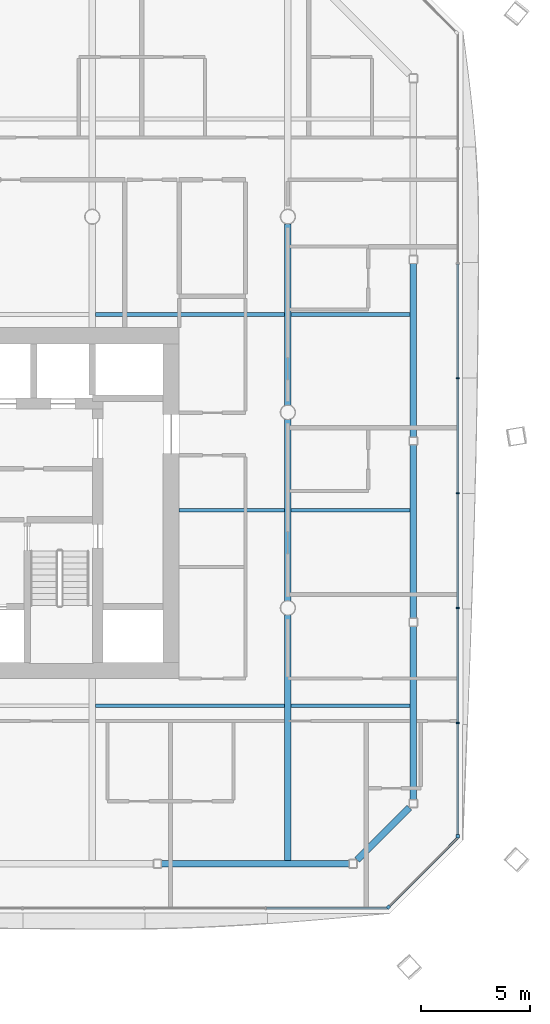
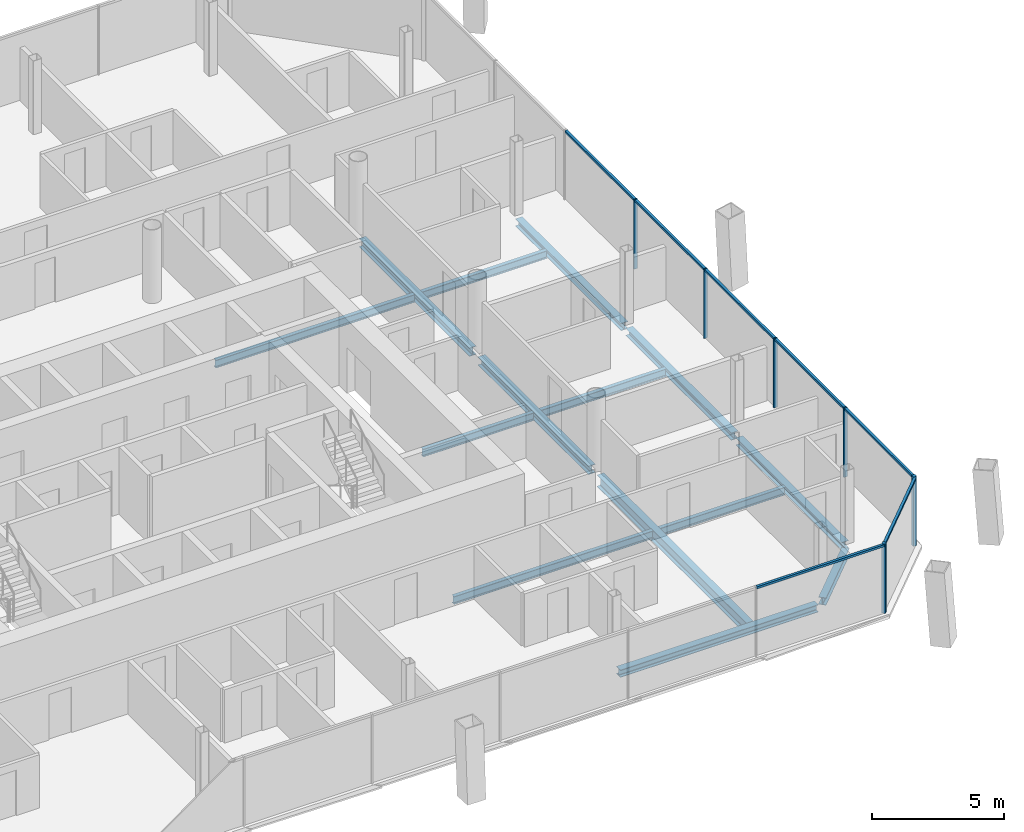
# One storey, part 7 of 21: 14 beams, 13 members, 3 elements without a shape of their own.
"""IFC4 building model written with IfcOpenShell, lengths in metres."""

from ifc_helpers import new_model, si_unit, direction, frame, origin, origin_2d, place, context, subcontext, project, spatial, rectangle, i_section, extrude, material, material_profile, profile_set, type_object, element, aggregate, save


model = new_model("IFC4")

# Units and contexts
model_context = context("Model", 3, precision=1e-05, world=origin(), true_north=direction((0.0, 1.0)))
body_context = subcontext(model_context, "Body", "Model", "MODEL_VIEW")
ifc_project = project(units=[si_unit("LENGTHUNIT", "METRE"), si_unit("AREAUNIT", "SQUARE_METRE"), si_unit("VOLUMEUNIT", "CUBIC_METRE"), si_unit("PLANEANGLEUNIT", "RADIAN"), si_unit("MASSUNIT", "GRAM", prefix="KILO")], contexts=[model_context])

# Site, building, storey
site_placement = place(None, origin())
site = spatial("IfcSite", under=ifc_project, at=site_placement, CompositionType="ELEMENT")
building_placement = place(site_placement, origin())
building = spatial("IfcBuilding", under=site, at=building_placement, Name="Tskaro Facet Tower", CompositionType="ELEMENT")
storey_placement = place(building_placement, frame((0.0, 0.0, 138.5)))
storey = spatial("IfcBuildingStorey", under=building, at=storey_placement, Name="L33", CompositionType="ELEMENT", Elevation=138.5)

# Curtain wall, member
ifc_material_1 = material(Name="Bronze anodised aluminium 6063-T6", Category="aluminium")
curtain_wall_type = type_object("IfcCurtainWallType", Name="Bronze hotel curtain wall (FW2)", PredefinedType="NOTDEFINED", material=ifc_material_1)
curtain_wall_1_placement = place(storey_placement, origin())
curtain_wall_1 = element("IfcCurtainWall", 1, at=curtain_wall_1_placement, inside=storey, type_object=curtain_wall_type, Name="FW2 south-east facet L33", PredefinedType="NOTDEFINED")
ifc_material_profile_1 = material_profile(ifc_material_1, rectangle(XDim=0.14990234375, YDim=0.14990234375, at=origin_2d()), Name="Corner post 150x150")
ifc_profile_set_1 = profile_set([ifc_material_profile_1], Name="Bronze anodised aluminium 6063-T6")
member_type_1 = type_object("IfcMemberType", Name="FW2 bronze corner post 150x150", PredefinedType="MULLION", material=ifc_profile_set_1)
member_1_placement = place(storey_placement, frame((22.626953125, -22.766845703125, 0.0), z_axis=(0.0, 0.0, 1.0), x_axis=(0.707106781187, 0.707106781187, 0.0)))
member_1 = element("IfcMember", 2, at=member_1_placement, type_object=member_type_1, Name="FW2 south-east corner post", PredefinedType="MULLION", context=body_context, shape_type="SweptSolid", body=[
    extrude(rectangle(XDim=0.14990234375, YDim=0.14990234375, at=origin_2d()), origin(), (0.0, 0.0, 1.0), 3.199951171875),
])

# Curtain wall, members
curtain_wall_2_placement = place(storey_placement, origin())
curtain_wall_2 = element("IfcCurtainWall", 3, at=curtain_wall_2_placement, inside=storey, type_object=curtain_wall_type, Name="FW2 east facet L33", PredefinedType="NOTDEFINED")
member_2_placement = place(storey_placement, frame((25.820068359375, -19.4990234375, 0.0), z_axis=(0.0, 0.0, 1.0), x_axis=(0.0, 1.0, 0.0)))
member_2 = element("IfcMember", 4, at=member_2_placement, type_object=member_type_1, Name="FW2 east corner post", PredefinedType="MULLION", context=body_context, shape_type="SweptSolid", body=[
    extrude(rectangle(XDim=0.14990234375, YDim=0.14990234375, at=origin_2d()), origin(), (0.0, 0.0, 1.0), 3.199951171875),
])
ifc_material_profile_2 = material_profile(ifc_material_1, rectangle(XDim=0.06005859375, YDim=0.14990234375, at=origin_2d()), Name="Mullion 60x150")
ifc_profile_set_2 = profile_set([ifc_material_profile_2], Name="Bronze anodised aluminium 6063-T6")
member_type_2 = type_object("IfcMemberType", Name="FW2 bronze mullion 60x150", PredefinedType="MULLION", material=ifc_profile_set_2)
member_3_placement = place(storey_placement, frame((25.820068359375, -14.288818359375, 0.0), z_axis=(0.0, 0.0, 1.0), x_axis=(0.0, 1.0, 0.0)))
member_3 = element("IfcMember", 5, at=member_3_placement, type_object=member_type_2, Name="FW2 east mullion 1", PredefinedType="MULLION", context=body_context, shape_type="SweptSolid", body=[
    extrude(rectangle(XDim=0.06005859375, YDim=0.14990234375, at=origin_2d()), origin(), (0.0, 0.0, 1.0), 3.199951171875),
])
member_4_placement = place(storey_placement, frame((25.820068359375, -9.003662109375, 0.0), z_axis=(0.0, 0.0, 1.0), x_axis=(0.0, 1.0, 0.0)))
member_4 = element("IfcMember", 6, at=member_4_placement, type_object=member_type_2, Name="FW2 east mullion 2", PredefinedType="MULLION", context=body_context, shape_type="SweptSolid", body=[
    extrude(rectangle(XDim=0.06005859375, YDim=0.14990234375, at=origin_2d()), origin(), (0.0, 0.0, 1.0), 3.199951171875),
])
member_5_placement = place(storey_placement, frame((25.820068359375, -3.718505859375, 0.0), z_axis=(0.0, 0.0, 1.0), x_axis=(0.0, 1.0, 0.0)))
member_5 = element("IfcMember", 7, at=member_5_placement, type_object=member_type_2, Name="FW2 east mullion 3", PredefinedType="MULLION", context=body_context, shape_type="SweptSolid", body=[
    extrude(rectangle(XDim=0.06005859375, YDim=0.14990234375, at=origin_2d()), origin(), (0.0, 0.0, 1.0), 3.199951171875),
])
member_6_placement = place(storey_placement, frame((25.820068359375, 1.566650390625, 0.0), z_axis=(0.0, 0.0, 1.0), x_axis=(0.0, 1.0, 0.0)))
member_6 = element("IfcMember", 8, at=member_6_placement, type_object=member_type_2, Name="FW2 east mullion 4", PredefinedType="MULLION", context=body_context, shape_type="SweptSolid", body=[
    extrude(rectangle(XDim=0.06005859375, YDim=0.14990234375, at=origin_2d()), origin(), (0.0, 0.0, 1.0), 3.199951171875),
])

# Curtain wall, member
curtain_wall_3_placement = place(storey_placement, origin())
curtain_wall_3 = element("IfcCurtainWall", 9, at=curtain_wall_3_placement, inside=storey, type_object=curtain_wall_type, Name="FW2 south facet L33", PredefinedType="NOTDEFINED")
ifc_material_profile_3 = material_profile(ifc_material_1, rectangle(XDim=0.110107421875, YDim=0.10009765625, at=origin_2d()), Name="Transom 110x100")
ifc_profile_set_3 = profile_set([ifc_material_profile_3], Name="Bronze anodised aluminium 6063-T6")
member_type_3 = type_object("IfcMemberType", Name="FW2 bronze transom 110x100", PredefinedType="USERDEFINED", material=ifc_profile_set_3)
member_7_placement = place(storey_placement, frame((17.011474609375, -22.820068359375, 3.14990234375), z_axis=(1.0, 0.0, 0.0), x_axis=(0.0, 1.0, 0.0)))
member_7 = element("IfcMember", 10, at=member_7_placement, type_object=member_type_3, Name="FW2 south transom 7.1", ObjectType="TRANSOM", PredefinedType="USERDEFINED", context=body_context, shape_type="SweptSolid", body=[
    extrude(rectangle(XDim=0.110107421875, YDim=0.10009765625, at=origin_2d()), origin(), (0.0, 0.0, 1.0), 5.5625),
])
aggregate(curtain_wall_3, [member_7])

# Member
member_8_placement = place(storey_placement, frame((22.68017578125, -22.7138671875, 3.14990234375), z_axis=(0.707106781187, 0.707106781187, 0.0), x_axis=(-0.707106781187, 0.707106781187, 0.0)))
member_8 = element("IfcMember", 11, at=member_8_placement, type_object=member_type_3, Name="FW2 south-east transom 1.1", ObjectType="TRANSOM", PredefinedType="USERDEFINED", context=body_context, shape_type="SweptSolid", body=[
    extrude(rectangle(XDim=0.110107421875, YDim=0.10009765625, at=origin_2d()), origin(), (0.0, 0.0, 1.0), 4.4404296875),
])

aggregate(curtain_wall_1, [member_1, member_8])

member_9_placement = place(storey_placement, frame((25.820068359375, -19.424072265625, 3.14990234375), z_axis=(0.0, 1.0, 0.0), x_axis=(-1.0, 0.0, 0.0)))
member_9 = element("IfcMember", 12, at=member_9_placement, type_object=member_type_3, Name="FW2 east transom 1.1", ObjectType="TRANSOM", PredefinedType="USERDEFINED", context=body_context, shape_type="SweptSolid", body=[
    extrude(rectangle(XDim=0.110107421875, YDim=0.10009765625, at=origin_2d()), origin(), (0.0, 0.0, 1.0), 5.105224609375),
])

member_10_placement = place(storey_placement, frame((25.820068359375, -14.2587890625, 3.14990234375), z_axis=(0.0, 1.0, 0.0), x_axis=(-1.0, 0.0, 0.0)))
member_10 = element("IfcMember", 13, at=member_10_placement, type_object=member_type_3, Name="FW2 east transom 2.1", ObjectType="TRANSOM", PredefinedType="USERDEFINED", context=body_context, shape_type="SweptSolid", body=[
    extrude(rectangle(XDim=0.110107421875, YDim=0.10009765625, at=origin_2d()), origin(), (0.0, 0.0, 1.0), 5.22509765625),
])

member_11_placement = place(storey_placement, frame((25.820068359375, -8.9736328125, 3.14990234375), z_axis=(0.0, 1.0, 0.0), x_axis=(-1.0, 0.0, 0.0)))
member_11 = element("IfcMember", 14, at=member_11_placement, type_object=member_type_3, Name="FW2 east transom 3.1", ObjectType="TRANSOM", PredefinedType="USERDEFINED", context=body_context, shape_type="SweptSolid", body=[
    extrude(rectangle(XDim=0.110107421875, YDim=0.10009765625, at=origin_2d()), origin(), (0.0, 0.0, 1.0), 5.22509765625),
])

member_12_placement = place(storey_placement, frame((25.820068359375, -3.6884765625, 3.14990234375), z_axis=(0.0, 1.0, 0.0), x_axis=(-1.0, 0.0, 0.0)))
member_12 = element("IfcMember", 15, at=member_12_placement, type_object=member_type_3, Name="FW2 east transom 4.1", ObjectType="TRANSOM", PredefinedType="USERDEFINED", context=body_context, shape_type="SweptSolid", body=[
    extrude(rectangle(XDim=0.110107421875, YDim=0.10009765625, at=origin_2d()), origin(), (0.0, 0.0, 1.0), 5.22509765625),
])

member_13_placement = place(storey_placement, frame((25.820068359375, 1.5966796875, 3.14990234375), z_axis=(0.0, 1.0, 0.0), x_axis=(-1.0, 0.0, 0.0)))
member_13 = element("IfcMember", 16, at=member_13_placement, type_object=member_type_3, Name="FW2 east transom 5.1", ObjectType="TRANSOM", PredefinedType="USERDEFINED", context=body_context, shape_type="SweptSolid", body=[
    extrude(rectangle(XDim=0.110107421875, YDim=0.10009765625, at=origin_2d()), origin(), (0.0, 0.0, 1.0), 5.22509765625),
])

aggregate(curtain_wall_2, [member_2, member_3, member_4, member_5, member_6, member_9, member_10, member_11, member_12, member_13])

# Beams
ifc_material_2 = material(Name="Steel S355J2", Category="steel")
ifc_material_profile_4 = material_profile(ifc_material_2, i_section(OverallWidth=0.300048828125, OverallDepth=0.340087890625, WebThickness=0.011962890625, FlangeThickness=0.021484375, FilletRadius=0.027099609375, at=origin_2d()), Name="HE 340 B")
ifc_profile_set_4 = profile_set([ifc_material_profile_4], Name="Steel S355J2")
beam_type_1 = type_object("IfcBeamType", Name="HE 340 B ring beam", PredefinedType="BEAM", material=ifc_profile_set_4)
beam_1_placement = place(storey_placement, frame((12.179931640625, -20.77392578125, -0.31005859375), z_axis=(1.0, 0.0, 0.0), x_axis=(0.0, 1.0, 0.0)))
element("IfcBeam", 17, at=beam_1_placement, inside=storey, type_object=beam_type_1, Name="HE 340 B EB4-3", PredefinedType="BEAM", context=body_context, shape_type="SweptSolid", body=[
    extrude(i_section(OverallWidth=0.300048828125, OverallDepth=0.340087890625, WebThickness=0.011962890625, FlangeThickness=0.021484375, FilletRadius=0.027099609375, at=origin_2d()), origin(), (0.0, 0.0, 1.0), 8.63916015625),
])
beam_2_placement = place(storey_placement, frame((21.184814453125, -20.588134765625, -0.31005859375), z_axis=(0.707106781187, 0.707106781187, 0.0), x_axis=(-0.707106781187, 0.707106781187, 0.0)))
element("IfcBeam", 18, at=beam_2_placement, inside=storey, type_object=beam_type_1, Name="HE 340 B EB5-3", PredefinedType="BEAM", context=body_context, shape_type="SweptSolid", body=[
    extrude(i_section(OverallWidth=0.300048828125, OverallDepth=0.340087890625, WebThickness=0.011962890625, FlangeThickness=0.021484375, FilletRadius=0.027099609375, at=origin_2d()), origin(), (0.0, 0.0, 1.0), 3.39892578125),
])
beam_3_placement = place(storey_placement, frame((23.77392578125, -17.819091796875, -0.31005859375), z_axis=(0.0, 1.0, 0.0), x_axis=(-1.0, 0.0, 0.0)))
element("IfcBeam", 19, at=beam_3_placement, inside=storey, type_object=beam_type_1, Name="HE 340 B EB6-3", PredefinedType="BEAM", context=body_context, shape_type="SweptSolid", body=[
    extrude(i_section(OverallWidth=0.300048828125, OverallDepth=0.340087890625, WebThickness=0.011962890625, FlangeThickness=0.021484375, FilletRadius=0.027099609375, at=origin_2d()), origin(), (0.0, 0.0, 1.0), 7.982177734375),
])
beam_4_placement = place(storey_placement, frame((23.77392578125, -9.47705078125, -0.31005859375), z_axis=(0.0, 1.0, 0.0), x_axis=(-1.0, 0.0, 0.0)))
element("IfcBeam", 20, at=beam_4_placement, inside=storey, type_object=beam_type_1, Name="HE 340 B EB7-3", PredefinedType="BEAM", context=body_context, shape_type="SweptSolid", body=[
    extrude(i_section(OverallWidth=0.300048828125, OverallDepth=0.340087890625, WebThickness=0.011962890625, FlangeThickness=0.021484375, FilletRadius=0.027099609375, at=origin_2d()), origin(), (0.0, 0.0, 1.0), 7.98095703125),
])
beam_5_placement = place(storey_placement, frame((23.77392578125, -1.135986328125, -0.31005859375), z_axis=(0.0, 1.0, 0.0), x_axis=(-1.0, 0.0, 0.0)))
element("IfcBeam", 21, at=beam_5_placement, inside=storey, type_object=beam_type_1, Name="HE 340 B EB8-3", PredefinedType="BEAM", context=body_context, shape_type="SweptSolid", body=[
    extrude(i_section(OverallWidth=0.300048828125, OverallDepth=0.340087890625, WebThickness=0.011962890625, FlangeThickness=0.021484375, FilletRadius=0.027099609375, at=origin_2d()), origin(), (0.0, 0.0, 1.0), 7.98193359375),
])
ifc_material_profile_5 = material_profile(ifc_material_2, i_section(OverallWidth=0.300048828125, OverallDepth=0.389892578125, WebThickness=0.010986328125, FlangeThickness=0.01904296875, FilletRadius=0.027099609375, at=origin_2d()), Name="HE 400 A")
ifc_profile_set_5 = profile_set([ifc_material_profile_5], Name="Steel S355J2")
beam_type_2 = type_object("IfcBeamType", Name="HE 400 A girder", PredefinedType="BEAM", material=ifc_profile_set_5)
for number, where, z_axis, x_axis, name in (
    (22, (18.0, -8.674560546875, -0.3349609375), (0.0, 1.0, 0.0), (-1.0, 0.0, 0.0), "HE 400 A GB6-2-3"),
    (23, (18.0, 0.325439453125, -0.3349609375), (0.0, 1.0, 0.0), (-1.0, 0.0, 0.0), "HE 400 A GB6-3-3"),
):
    element("IfcBeam", number, at=place(storey_placement, frame(where, z_axis=z_axis, x_axis=x_axis)), inside=storey, type_object=beam_type_2, Name=name, PredefinedType="BEAM", context=body_context, shape_type="SweptSolid", body=[
        extrude(i_section(OverallWidth=0.300048828125, OverallDepth=0.389892578125, WebThickness=0.010986328125, FlangeThickness=0.01904296875, FilletRadius=0.027099609375, at=origin_2d()), origin(), (0.0, 0.0, 1.0), 8.34912109375),
    ])
ifc_material_profile_6 = material_profile(ifc_material_2, i_section(OverallWidth=0.300048828125, OverallDepth=0.5400390625, WebThickness=0.012451171875, FlangeThickness=0.02392578125, FilletRadius=0.027099609375, at=origin_2d()), Name="HE 550 A")
ifc_profile_set_6 = profile_set([ifc_material_profile_6], Name="Steel S355J2")
beam_type_3 = type_object("IfcBeamType", Name="HE 550 A long girder", PredefinedType="BEAM", material=ifc_profile_set_6)
beam_6_placement = place(storey_placement, frame((18.0, -20.6240234375, -0.409912109375), z_axis=(0.0, 1.0, 0.0), x_axis=(-1.0, 0.0, 0.0)))
element("IfcBeam", 24, at=beam_6_placement, inside=storey, type_object=beam_type_3, Name="HE 550 A LGB6-1-3", PredefinedType="BEAM", context=body_context, shape_type="SweptSolid", body=[
    extrude(i_section(OverallWidth=0.300048828125, OverallDepth=0.5400390625, WebThickness=0.012451171875, FlangeThickness=0.02392578125, FilletRadius=0.027099609375, at=origin_2d()), origin(), (0.0, 0.0, 1.0), 11.298583984375),
])
ifc_material_profile_7 = material_profile(ifc_material_2, i_section(OverallWidth=0.169921875, OverallDepth=0.360107421875, WebThickness=0.008056640625, FlangeThickness=0.0126953125, FilletRadius=0.01806640625, at=origin_2d()), Name="IPE 360")
ifc_profile_set_7 = profile_set([ifc_material_profile_7], Name="Steel S355J2")
beam_type_4 = type_object("IfcBeamType", Name="IPE 360 secondary beam", PredefinedType="BEAM", material=ifc_profile_set_7)
beam_7_placement = place(storey_placement, frame((9.14990234375, -13.5, -0.320068359375), z_axis=(1.0, 0.0, 0.0), x_axis=(0.0, 1.0, 0.0)))
element("IfcBeam", 25, at=beam_7_placement, inside=storey, type_object=beam_type_4, Name="IPE 360 SB2a-4-3", PredefinedType="BEAM", context=body_context, shape_type="SweptSolid", body=[
    extrude(i_section(OverallWidth=0.169921875, OverallDepth=0.360107421875, WebThickness=0.008056640625, FlangeThickness=0.0126953125, FilletRadius=0.01806640625, at=origin_2d()), origin(), (0.0, 0.0, 1.0), 8.7001953125),
])
beam_8_placement = place(storey_placement, frame((18.14990234375, -13.5, -0.320068359375), z_axis=(1.0, 0.0, 0.0), x_axis=(0.0, 1.0, 0.0)))
element("IfcBeam", 26, at=beam_8_placement, inside=storey, type_object=beam_type_4, Name="IPE 360 SB2a-5-3", PredefinedType="BEAM", context=body_context, shape_type="SweptSolid", body=[
    extrude(i_section(OverallWidth=0.169921875, OverallDepth=0.360107421875, WebThickness=0.008056640625, FlangeThickness=0.0126953125, FilletRadius=0.01806640625, at=origin_2d()), origin(), (0.0, 0.0, 1.0), 5.47412109375),
])
beam_9_placement = place(storey_placement, frame((13.0, -4.5, -0.320068359375), z_axis=(1.0, 0.0, 0.0), x_axis=(0.0, 1.0, 0.0)))
element("IfcBeam", 27, at=beam_9_placement, inside=storey, type_object=beam_type_4, Name="IPE 360 SB3a-2-3", PredefinedType="BEAM", context=body_context, shape_type="SweptSolid", body=[
    extrude(i_section(OverallWidth=0.169921875, OverallDepth=0.360107421875, WebThickness=0.008056640625, FlangeThickness=0.0126953125, FilletRadius=0.01806640625, at=origin_2d()), origin(), (0.0, 0.0, 1.0), 4.85009765625),
])
beam_10_placement = place(storey_placement, frame((18.14990234375, -4.5, -0.320068359375), z_axis=(1.0, 0.0, 0.0), x_axis=(0.0, 1.0, 0.0)))
element("IfcBeam", 28, at=beam_10_placement, inside=storey, type_object=beam_type_4, Name="IPE 360 SB3a-3-3", PredefinedType="BEAM", context=body_context, shape_type="SweptSolid", body=[
    extrude(i_section(OverallWidth=0.169921875, OverallDepth=0.360107421875, WebThickness=0.008056640625, FlangeThickness=0.0126953125, FilletRadius=0.01806640625, at=origin_2d()), origin(), (0.0, 0.0, 1.0), 5.47412109375),
])
beam_11_placement = place(storey_placement, frame((9.14990234375, 4.5, -0.320068359375), z_axis=(1.0, 0.0, 0.0), x_axis=(0.0, 1.0, 0.0)))
element("IfcBeam", 29, at=beam_11_placement, inside=storey, type_object=beam_type_4, Name="IPE 360 SB4a-4-3", PredefinedType="BEAM", context=body_context, shape_type="SweptSolid", body=[
    extrude(i_section(OverallWidth=0.169921875, OverallDepth=0.360107421875, WebThickness=0.008056640625, FlangeThickness=0.0126953125, FilletRadius=0.01806640625, at=origin_2d()), origin(), (0.0, 0.0, 1.0), 8.7001953125),
])
beam_12_placement = place(storey_placement, frame((18.14990234375, 4.5, -0.320068359375), z_axis=(1.0, 0.0, 0.0), x_axis=(0.0, 1.0, 0.0)))
element("IfcBeam", 30, at=beam_12_placement, inside=storey, type_object=beam_type_4, Name="IPE 360 SB4a-5-3", PredefinedType="BEAM", context=body_context, shape_type="SweptSolid", body=[
    extrude(i_section(OverallWidth=0.169921875, OverallDepth=0.360107421875, WebThickness=0.008056640625, FlangeThickness=0.0126953125, FilletRadius=0.01806640625, at=origin_2d()), origin(), (0.0, 0.0, 1.0), 5.47412109375),
])

save(model, "model.ifc")
